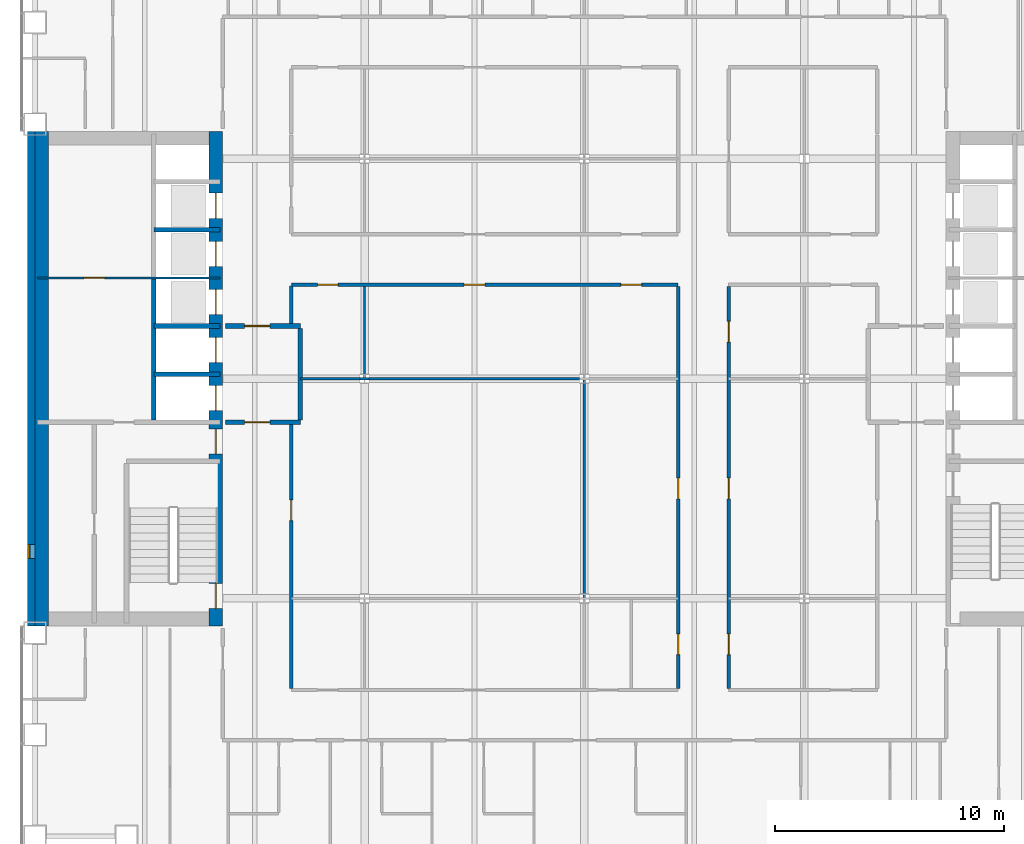
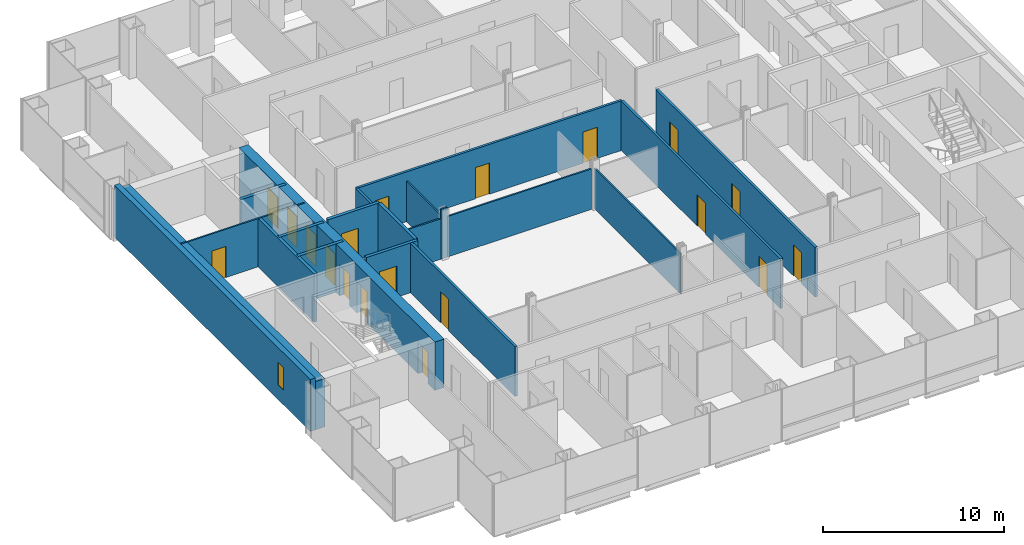
# One storey, part 17 of 23: 21 walls, 19 doors, 1 window, 20 openings.
"""IFC4 building model written with IfcOpenShell, lengths in metres."""

from ifc_helpers import new_model, si_unit, direction, frame, frame_2d, origin, place, context, subcontext, project, spatial, rectangle, extrude, material, layer, layer_set, type_object, element, fill, save


model = new_model("IFC4")

# Units and contexts
model_context = context("Model", 3, precision=1e-05, world=origin(), true_north=direction((0.0, 1.0)))
body_context = subcontext(model_context, "Body", "Model", "MODEL_VIEW")
ifc_project = project(units=[si_unit("LENGTHUNIT", "METRE"), si_unit("AREAUNIT", "SQUARE_METRE"), si_unit("VOLUMEUNIT", "CUBIC_METRE"), si_unit("PLANEANGLEUNIT", "RADIAN"), si_unit("MASSUNIT", "GRAM", prefix="KILO")], contexts=[model_context])

# Site, building, storey
site_placement = place(None, origin())
site = spatial("IfcSite", under=ifc_project, at=site_placement, CompositionType="ELEMENT")
building_placement = place(site_placement, origin())
building = spatial("IfcBuilding", under=site, at=building_placement, Name="Cobrizo Arcos Hotel Tower", CompositionType="ELEMENT")
storey_placement = place(building_placement, frame((0.0, 0.0, 49.5)))
storey = spatial("IfcBuildingStorey", under=building, at=storey_placement, Name="L10", CompositionType="ELEMENT", Elevation=49.5)

# Wall, openings, doors
ifc_material_1 = material(Name="Gypsum board partition")
ifc_layer_1 = layer(ifc_material_1, 0.14990234375)
ifc_layer_set_1 = layer_set([ifc_layer_1], Name="Corridor wall EI 60 150")
wall_type_1 = type_object("IfcWallType", Name="Corridor wall EI 60 150", PredefinedType="PARTITIONING", material=ifc_layer_set_1)
wall_1_placement = place(storey_placement, frame((-12.800048828125, 4.10009765625, 0.0), z_axis=(0.0, 0.0, 1.0), x_axis=(1.0, 0.0, 0.0)))
wall_1 = element("IfcWall", 1, at=wall_1_placement, inside=storey, type_object=wall_type_1, Name="Partition 039", PredefinedType="PARTITIONING", context=body_context, shape_type="SweptSolid", body=[
    extrude(rectangle(XDim=16.900146484375, YDim=0.14990234375, at=frame_2d((8.4501953125, 0.0))), origin(), (0.0, 0.0, 1.0), 3.35009765625),
])
opening_1_placement = place(wall_1_placement, frame((1.14990234375, 0.0, 0.0)))
opening_1 = element("IfcOpeningElement", 2, at=opening_1_placement, cuts=wall_1, Name="Opening RD-13", PredefinedType="OPENING", context=body_context, shape_type="SweptSolid", body=[
    extrude(rectangle(XDim=0.89990234375, YDim=2.10009765625, at=frame_2d((0.449951171875, 1.050048828125))), frame((0.0, 0.0869140625, 0.0), z_axis=(0.0, -1.0, 0.0), x_axis=(1.0, 0.0, 0.0)), (0.0, 0.0, 1.0), 0.173828125),
])
opening_2_placement = place(wall_1_placement, frame((14.39990234375, 0.0, 0.0)))
opening_2 = element("IfcOpeningElement", 3, at=opening_2_placement, cuts=wall_1, Name="Opening RD-22", PredefinedType="OPENING", context=body_context, shape_type="SweptSolid", body=[
    extrude(rectangle(XDim=0.89990234375, YDim=2.10009765625, at=frame_2d((0.449951171875, 1.050048828125))), frame((0.0, 0.0869140625, 0.0), z_axis=(0.0, -1.0, 0.0), x_axis=(1.0, 0.0, 0.0)), (0.0, 0.0, 1.0), 0.173828125),
])
opening_3_placement = place(wall_1_placement, frame((7.550048828125, 0.0, 0.0)))
opening_3 = element("IfcOpeningElement", 4, at=opening_3_placement, cuts=wall_1, Name="Opening RD-30", PredefinedType="OPENING", context=body_context, shape_type="SweptSolid", body=[
    extrude(rectangle(XDim=0.89990234375, YDim=2.10009765625, at=frame_2d((0.449951171875, 1.050048828125))), frame((0.0, 0.0869140625, 0.0), z_axis=(0.0, -1.0, 0.0), x_axis=(1.0, 0.0, 0.0)), (0.0, 0.0, 1.0), 0.173828125),
])
ifc_material_2 = material(Name="Timber door leaf", Category="wood")
door_type_1 = type_object("IfcDoorType", Name="Room door FD30 900x2100", OperationType="SINGLE_SWING_LEFT", PredefinedType="DOOR", material=ifc_material_2)
door_1_placement = place(opening_1_placement, origin())
door_1 = element("IfcDoor", 5, at=door_1_placement, inside=storey, type_object=door_type_1, Name="Door RD-13", OperationType="SINGLE_SWING_LEFT", OverallHeight=2.10009765625, OverallWidth=0.89990234375, PredefinedType="DOOR", context=body_context, shape_type="SweptSolid", body=[
    extrude(rectangle(XDim=0.89990234375, YDim=2.10009765625, at=frame_2d((0.449951171875, 1.050048828125))), frame((0.0, 0.02490234375, 0.0), z_axis=(0.0, -1.0, 0.0), x_axis=(1.0, 0.0, 0.0)), (0.0, 0.0, 1.0), 0.050048828125),
])
fill(opening_1, door_1)
door_2_placement = place(opening_2_placement, origin())
door_2 = element("IfcDoor", 6, at=door_2_placement, inside=storey, type_object=door_type_1, Name="Door RD-22", OperationType="SINGLE_SWING_LEFT", OverallHeight=2.10009765625, OverallWidth=0.89990234375, PredefinedType="DOOR", context=body_context, shape_type="SweptSolid", body=[
    extrude(rectangle(XDim=0.89990234375, YDim=2.10009765625, at=frame_2d((0.449951171875, 1.050048828125))), frame((0.0, 0.02490234375, 0.0), z_axis=(0.0, -1.0, 0.0), x_axis=(1.0, 0.0, 0.0)), (0.0, 0.0, 1.0), 0.050048828125),
])
fill(opening_2, door_2)
door_3_placement = place(opening_3_placement, origin())
door_3 = element("IfcDoor", 7, at=door_3_placement, inside=storey, type_object=door_type_1, Name="Door RD-30", OperationType="SINGLE_SWING_RIGHT", OverallHeight=2.10009765625, OverallWidth=0.89990234375, PredefinedType="DOOR", context=body_context, shape_type="SweptSolid", body=[
    extrude(rectangle(XDim=0.89990234375, YDim=2.10009765625, at=frame_2d((0.449951171875, 1.050048828125))), frame((0.0, 0.02490234375, 0.0), z_axis=(0.0, -1.0, 0.0), x_axis=(1.0, 0.0, 0.0)), (0.0, 0.0, 1.0), 0.050048828125),
])
fill(opening_3, door_3)

# Wall, opening, door
wall_2_placement = place(storey_placement, frame((-12.800048828125, -13.52490234375, 0.0), z_axis=(0.0, 0.0, 1.0), x_axis=(0.0, 1.0, 0.0)))
wall_2 = element("IfcWall", 8, at=wall_2_placement, inside=storey, type_object=wall_type_1, Name="Partition 078", PredefinedType="PARTITIONING", context=body_context, shape_type="SweptSolid", body=[
    extrude(rectangle(XDim=11.52490234375, YDim=0.14990234375, at=frame_2d((5.762451171875, 0.0))), origin(), (0.0, 0.0, 1.0), 3.35009765625),
])
opening_4_placement = place(wall_2_placement, frame((7.324951171875, 0.0, 0.0)))
opening_4 = element("IfcOpeningElement", 9, at=opening_4_placement, cuts=wall_2, Name="Opening RD-32", PredefinedType="OPENING", context=body_context, shape_type="SweptSolid", body=[
    extrude(rectangle(XDim=0.89990234375, YDim=2.10009765625, at=frame_2d((0.449951171875, 1.050048828125))), frame((0.0, 0.0869140625, 0.0), z_axis=(0.0, -1.0, 0.0), x_axis=(1.0, 0.0, 0.0)), (0.0, 0.0, 1.0), 0.173828125),
])
door_4_placement = place(opening_4_placement, origin())
door_4 = element("IfcDoor", 10, at=door_4_placement, inside=storey, type_object=door_type_1, Name="Door RD-32", OperationType="SINGLE_SWING_LEFT", OverallHeight=2.10009765625, OverallWidth=0.89990234375, PredefinedType="DOOR", context=body_context, shape_type="SweptSolid", body=[
    extrude(rectangle(XDim=0.89990234375, YDim=2.10009765625, at=frame_2d((0.449951171875, 1.050048828125))), frame((0.0, 0.02490234375, 0.0), z_axis=(0.0, -1.0, 0.0), x_axis=(1.0, 0.0, 0.0)), (0.0, 0.0, 1.0), 0.050048828125),
])
fill(opening_4, door_4)

# Wall
wall_3_placement = place(storey_placement, frame((-12.800048828125, 2.39990234375, 0.0), z_axis=(0.0, 0.0, 1.0), x_axis=(0.0, 1.0, 0.0)))
element("IfcWall", 11, at=wall_3_placement, inside=storey, type_object=wall_type_1, Name="Partition 079", PredefinedType="PARTITIONING", context=body_context, shape_type="SweptSolid", body=[
    extrude(rectangle(XDim=1.650146484375, YDim=0.14990234375, at=frame_2d((0.8251953125, 0.0))), origin(), (0.0, 0.0, 1.0), 3.35009765625),
])

# Wall, openings, doors
wall_4_placement = place(storey_placement, frame((4.10009765625, -13.52490234375, 0.0), z_axis=(0.0, 0.0, 1.0), x_axis=(0.0, 1.0, 0.0)))
wall_4 = element("IfcWall", 12, at=wall_4_placement, inside=storey, type_object=wall_type_1, Name="Partition 104", PredefinedType="PARTITIONING", context=body_context, shape_type="SweptSolid", body=[
    extrude(rectangle(XDim=17.5498046875, YDim=0.14990234375, at=frame_2d((8.77490234375, 0.0))), origin(), (0.0, 0.0, 1.0), 3.35009765625),
])
opening_5_placement = place(wall_4_placement, frame((1.47509765625, 0.0, 0.0)))
opening_5 = element("IfcOpeningElement", 13, at=opening_5_placement, cuts=wall_4, Name="Opening ED-17", PredefinedType="OPENING", context=body_context, shape_type="SweptSolid", body=[
    extrude(rectangle(XDim=0.89990234375, YDim=2.10009765625, at=frame_2d((0.449951171875, 1.050048828125))), frame((0.0, 0.0869140625, 0.0), z_axis=(0.0, -1.0, 0.0), x_axis=(1.0, 0.0, 0.0)), (0.0, 0.0, 1.0), 0.173828125),
])
opening_6_placement = place(wall_4_placement, frame((8.27490234375, 0.0, 0.0)))
opening_6 = element("IfcOpeningElement", 14, at=opening_6_placement, cuts=wall_4, Name="Opening RD-31", PredefinedType="OPENING", context=body_context, shape_type="SweptSolid", body=[
    extrude(rectangle(XDim=0.89990234375, YDim=2.10009765625, at=frame_2d((0.449951171875, 1.050048828125))), frame((0.0, 0.0869140625, 0.0), z_axis=(0.0, -1.0, 0.0), x_axis=(1.0, 0.0, 0.0)), (0.0, 0.0, 1.0), 0.173828125),
])
door_type_2 = type_object("IfcDoorType", Name="En-suite door 900x2100", OperationType="SINGLE_SWING_LEFT", PredefinedType="DOOR", material=ifc_material_2)
door_5_placement = place(opening_5_placement, origin())
door_5 = element("IfcDoor", 15, at=door_5_placement, inside=storey, type_object=door_type_2, Name="Door ED-17", OperationType="SINGLE_SWING_RIGHT", OverallHeight=2.10009765625, OverallWidth=0.89990234375, PredefinedType="DOOR", context=body_context, shape_type="SweptSolid", body=[
    extrude(rectangle(XDim=0.89990234375, YDim=2.10009765625, at=frame_2d((0.449951171875, 1.050048828125))), frame((0.0, 0.02490234375, 0.0), z_axis=(0.0, -1.0, 0.0), x_axis=(1.0, 0.0, 0.0)), (0.0, 0.0, 1.0), 0.050048828125),
])
fill(opening_5, door_5)
door_6_placement = place(opening_6_placement, origin())
door_6 = element("IfcDoor", 16, at=door_6_placement, inside=storey, type_object=door_type_1, Name="Door RD-31", OperationType="SINGLE_SWING_LEFT", OverallHeight=2.10009765625, OverallWidth=0.89990234375, PredefinedType="DOOR", context=body_context, shape_type="SweptSolid", body=[
    extrude(rectangle(XDim=0.89990234375, YDim=2.10009765625, at=frame_2d((0.449951171875, 1.050048828125))), frame((0.0, 0.02490234375, 0.0), z_axis=(0.0, -1.0, 0.0), x_axis=(1.0, 0.0, 0.0)), (0.0, 0.0, 1.0), 0.050048828125),
])
fill(opening_6, door_6)

wall_5_placement = place(storey_placement, frame((6.300048828125, -13.52490234375, 0.0), z_axis=(0.0, 0.0, 1.0), x_axis=(0.0, 1.0, 0.0)))
wall_5 = element("IfcWall", 17, at=wall_5_placement, inside=storey, type_object=wall_type_1, Name="Partition 108", PredefinedType="PARTITIONING", context=body_context, shape_type="SweptSolid", body=[
    extrude(rectangle(XDim=17.5498046875, YDim=0.14990234375, at=frame_2d((8.77490234375, 0.0))), origin(), (0.0, 0.0, 1.0), 3.35009765625),
])
opening_7_placement = place(wall_5_placement, frame((1.47509765625, 0.0, 0.0)))
opening_7 = element("IfcOpeningElement", 18, at=opening_7_placement, cuts=wall_5, Name="Opening RD-18", PredefinedType="OPENING", context=body_context, shape_type="SweptSolid", body=[
    extrude(rectangle(XDim=0.89990234375, YDim=2.10009765625, at=frame_2d((0.449951171875, 1.050048828125))), frame((0.0, 0.0869140625, 0.0), z_axis=(0.0, -1.0, 0.0), x_axis=(1.0, 0.0, 0.0)), (0.0, 0.0, 1.0), 0.173828125),
])
opening_8_placement = place(wall_5_placement, frame((15.125, 0.0, 0.0)))
opening_8 = element("IfcOpeningElement", 19, at=opening_8_placement, cuts=wall_5, Name="Opening RD-19", PredefinedType="OPENING", context=body_context, shape_type="SweptSolid", body=[
    extrude(rectangle(XDim=0.89990234375, YDim=2.10009765625, at=frame_2d((0.449951171875, 1.050048828125))), frame((0.0, 0.0869140625, 0.0), z_axis=(0.0, -1.0, 0.0), x_axis=(1.0, 0.0, 0.0)), (0.0, 0.0, 1.0), 0.173828125),
])
opening_9_placement = place(wall_5_placement, frame((8.27490234375, 0.0, 0.0)))
opening_9 = element("IfcOpeningElement", 20, at=opening_9_placement, cuts=wall_5, Name="Opening RD-26", PredefinedType="OPENING", context=body_context, shape_type="SweptSolid", body=[
    extrude(rectangle(XDim=0.89990234375, YDim=2.10009765625, at=frame_2d((0.449951171875, 1.050048828125))), frame((0.0, 0.0869140625, 0.0), z_axis=(0.0, -1.0, 0.0), x_axis=(1.0, 0.0, 0.0)), (0.0, 0.0, 1.0), 0.173828125),
])
door_7_placement = place(opening_7_placement, origin())
door_7 = element("IfcDoor", 21, at=door_7_placement, inside=storey, type_object=door_type_1, Name="Door RD-18", OperationType="SINGLE_SWING_LEFT", OverallHeight=2.10009765625, OverallWidth=0.89990234375, PredefinedType="DOOR", context=body_context, shape_type="SweptSolid", body=[
    extrude(rectangle(XDim=0.89990234375, YDim=2.10009765625, at=frame_2d((0.449951171875, 1.050048828125))), frame((0.0, 0.02490234375, 0.0), z_axis=(0.0, -1.0, 0.0), x_axis=(1.0, 0.0, 0.0)), (0.0, 0.0, 1.0), 0.050048828125),
])
fill(opening_7, door_7)
door_8_placement = place(opening_8_placement, origin())
door_8 = element("IfcDoor", 22, at=door_8_placement, inside=storey, type_object=door_type_1, Name="Door RD-19", OperationType="SINGLE_SWING_LEFT", OverallHeight=2.10009765625, OverallWidth=0.89990234375, PredefinedType="DOOR", context=body_context, shape_type="SweptSolid", body=[
    extrude(rectangle(XDim=0.89990234375, YDim=2.10009765625, at=frame_2d((0.449951171875, 1.050048828125))), frame((0.0, 0.02490234375, 0.0), z_axis=(0.0, -1.0, 0.0), x_axis=(1.0, 0.0, 0.0)), (0.0, 0.0, 1.0), 0.050048828125),
])
fill(opening_8, door_8)
door_9_placement = place(opening_9_placement, origin())
door_9 = element("IfcDoor", 23, at=door_9_placement, inside=storey, type_object=door_type_1, Name="Door RD-26", OperationType="SINGLE_SWING_LEFT", OverallHeight=2.10009765625, OverallWidth=0.89990234375, PredefinedType="DOOR", context=body_context, shape_type="SweptSolid", body=[
    extrude(rectangle(XDim=0.89990234375, YDim=2.10009765625, at=frame_2d((0.449951171875, 1.050048828125))), frame((0.0, 0.02490234375, 0.0), z_axis=(0.0, -1.0, 0.0), x_axis=(1.0, 0.0, 0.0)), (0.0, 0.0, 1.0), 0.050048828125),
])
fill(opening_9, door_9)

# Wall, opening, window
ifc_material_3 = material(Name="Aluminium composite panel pale metal", Category="aluminium")
ifc_layer_2 = layer(ifc_material_3, 0.324951171875)
ifc_layer_set_2 = layer_set([ifc_layer_2], Name="EW-1 insulated panel wall 325")
wall_type_2 = type_object("IfcWallType", Name="EW-1 insulated panel wall 325", PredefinedType="SOLIDWALL", material=ifc_layer_set_2)
wall_6_placement = place(storey_placement, frame((-24.16259765625, 10.800048828125, 0.0), z_axis=(0.0, 0.0, 1.0), x_axis=(0.0, -1.0, 0.0)))
wall_6 = element("IfcWall", 24, at=wall_6_placement, inside=storey, type_object=wall_type_2, Name="Core face wall L10 W", PredefinedType="SOLIDWALL", context=body_context, shape_type="SweptSolid", body=[
    extrude(rectangle(XDim=21.60009765625, YDim=0.324951171875, at=frame_2d((10.800048828125, 0.0))), origin(), (0.0, 0.0, 1.0), 3.5),
])
opening_10_placement = place(wall_6_placement, frame((18.050048828125, 0.0, 1.0)))
opening_10 = element("IfcOpeningElement", 25, at=opening_10_placement, cuts=wall_6, Name="Opening W-16", PredefinedType="OPENING", context=body_context, shape_type="SweptSolid", body=[
    extrude(rectangle(XDim=0.60009765625, YDim=1.5, at=frame_2d((0.300048828125, 0.75))), frame((0.0, 0.174560546875, 0.0), z_axis=(0.0, -1.0, 0.0), x_axis=(1.0, 0.0, 0.0)), (0.0, 0.0, 1.0), 0.348876953125),
])
ifc_material_4 = material(Name="Aluminium 6063-T6 and clear laminated glass", Category="aluminium")
window_type = type_object("IfcWindowType", Name="W-C1 core stair slot window 600x1500", PartitioningType="SINGLE_PANEL", PredefinedType="WINDOW", material=ifc_material_4)
window_placement = place(opening_10_placement, origin())
window = element("IfcWindow", 26, at=window_placement, inside=storey, type_object=window_type, Name="Core face wall L10 W window W-16", OverallHeight=1.5, OverallWidth=0.60009765625, PartitioningType="SINGLE_PANEL", PredefinedType="WINDOW", context=body_context, shape_type="SweptSolid", body=[
    extrude(rectangle(XDim=0.60009765625, YDim=1.5, at=frame_2d((0.300048828125, 0.75))), frame((0.0, -0.072509765625, 0.0), z_axis=(0.0, -1.0, 0.0), x_axis=(1.0, 0.0, 0.0)), (0.0, 0.0, 1.0), 0.06005859375),
])
fill(opening_10, window)

# Walls
ifc_layer_3 = layer(ifc_material_1, 0.10009765625)
ifc_layer_set_3 = layer_set([ifc_layer_3], Name="Partition EI 30 100")
wall_type_3 = type_object("IfcWallType", Name="Partition EI 30 100", PredefinedType="PARTITIONING", material=ifc_layer_set_3)
wall_7_placement = place(storey_placement, frame((-12.39990234375, 0.0, 0.0), z_axis=(0.0, 0.0, 1.0), x_axis=(1.0, 0.0, 0.0)))
element("IfcWall", 27, at=wall_7_placement, inside=storey, type_object=wall_type_3, Name="Partition 025", PredefinedType="PARTITIONING", context=body_context, shape_type="SweptSolid", body=[
    extrude(rectangle(XDim=2.595947265625, YDim=0.10009765625, at=frame_2d((1.2978515625, 0.0))), origin(), (0.0, 0.0, 1.0), 2.72802734375),
])
wall_8_placement = place(storey_placement, frame((-9.803955078125, 0.0, 0.0), z_axis=(0.0, 0.0, 1.0), x_axis=(1.0, 0.0, 0.0)))
element("IfcWall", 28, at=wall_8_placement, inside=storey, type_object=wall_type_3, Name="Partition 026", PredefinedType="PARTITIONING", context=body_context, shape_type="SweptSolid", body=[
    extrude(rectangle(XDim=0.407958984375, YDim=0.10009765625, at=frame_2d((0.2041015625, 0.0))), origin(), (0.0, 0.0, 1.0), 3.35009765625),
])
wall_9_placement = place(storey_placement, frame((-9.39599609375, 0.0, 0.0), z_axis=(0.0, 0.0, 1.0), x_axis=(1.0, 0.0, 0.0)))
element("IfcWall", 29, at=wall_9_placement, inside=storey, type_object=wall_type_3, Name="Partition 027", PredefinedType="PARTITIONING", context=body_context, shape_type="SweptSolid", body=[
    extrude(rectangle(XDim=9.19189453125, YDim=0.10009765625, at=frame_2d((4.595947265625, 0.0))), origin(), (0.0, 0.0, 1.0), 2.72802734375),
])

# Wall, opening, door
wall_10_placement = place(storey_placement, frame((-23.8798828125, 4.39990234375, 0.0), z_axis=(0.0, 0.0, 1.0), x_axis=(1.0, 0.0, 0.0)))
wall_10 = element("IfcWall", 30, at=wall_10_placement, inside=storey, type_object=wall_type_3, Name="Partition 041", PredefinedType="PARTITIONING", context=body_context, shape_type="SweptSolid", body=[
    extrude(rectangle(XDim=7.9599609375, YDim=0.10009765625, at=frame_2d((3.97998046875, 0.0))), origin(), (0.0, 0.0, 1.0), 3.25),
])
opening_11_placement = place(wall_10_placement, frame((2.030029296875, 0.0, 0.0)))
opening_11 = element("IfcOpeningElement", 31, at=opening_11_placement, cuts=wall_10, Name="Opening RD-03", PredefinedType="OPENING", context=body_context, shape_type="SweptSolid", body=[
    extrude(rectangle(XDim=0.89990234375, YDim=2.10009765625, at=frame_2d((0.449951171875, 1.050048828125))), frame((0.0, 0.06201171875, 0.0), z_axis=(0.0, -1.0, 0.0), x_axis=(1.0, 0.0, 0.0)), (0.0, 0.0, 1.0), 0.1240234375),
])
door_10_placement = place(opening_11_placement, origin())
door_10 = element("IfcDoor", 32, at=door_10_placement, inside=storey, type_object=door_type_1, Name="Door RD-03", OperationType="SINGLE_SWING_RIGHT", OverallHeight=2.10009765625, OverallWidth=0.89990234375, PredefinedType="DOOR", context=body_context, shape_type="SweptSolid", body=[
    extrude(rectangle(XDim=0.89990234375, YDim=2.10009765625, at=frame_2d((0.449951171875, 1.050048828125))), frame((0.0, 0.02490234375, 0.0), z_axis=(0.0, -1.0, 0.0), x_axis=(1.0, 0.0, 0.0)), (0.0, 0.0, 1.0), 0.050048828125),
])
fill(opening_11, door_10)

# Walls
wall_11_placement = place(storey_placement, frame((-9.60009765625, 0.050048828125, 0.0), z_axis=(0.0, 0.0, 1.0), x_axis=(0.0, 1.0, 0.0)))
element("IfcWall", 33, at=wall_11_placement, inside=storey, type_object=wall_type_3, Name="Partition 085", PredefinedType="PARTITIONING", context=body_context, shape_type="SweptSolid", body=[
    extrude(rectangle(XDim=3.974853515625, YDim=0.10009765625, at=frame_2d((1.9873046875, 0.0))), origin(), (0.0, 0.0, 1.0), 2.72802734375),
])
wall_12_placement = place(storey_placement, frame((0.0, -9.550048828125, 0.0), z_axis=(0.0, 0.0, 1.0), x_axis=(0.0, 1.0, 0.0)))
element("IfcWall", 34, at=wall_12_placement, inside=storey, type_object=wall_type_3, Name="Partition 097", PredefinedType="PARTITIONING", context=body_context, shape_type="SweptSolid", body=[
    extrude(rectangle(XDim=9.5, YDim=0.10009765625, at=frame_2d((4.75, 0.0))), origin(), (0.0, 0.0, 1.0), 2.72802734375),
])

# Wall, openings, doors
ifc_material_5 = material(Name="Concrete f'c 60 MPa", Category="concrete")
ifc_layer_4 = layer(ifc_material_5, 0.60009765625)
ifc_layer_set_4 = layer_set([ifc_layer_4], Name="RC core wall 600 f'c 60")
wall_type_4 = type_object("IfcWallType", Name="RC core wall 600 f'c 60", PredefinedType="SHEAR", material=ifc_layer_set_4)
wall_13_placement = place(storey_placement, frame((-16.10009765625, -10.800048828125, 0.0), z_axis=(0.0, 0.0, 1.0), x_axis=(0.0, 1.0, 0.0)))
wall_13 = element("IfcWall", 35, at=wall_13_placement, inside=storey, type_object=wall_type_4, Name="Core wall CW1, west core, inner face, L10", PredefinedType="SHEAR", context=body_context, shape_type="SweptSolid", body=[
    extrude(rectangle(XDim=21.60009765625, YDim=0.60009765625, at=frame_2d((10.800048828125, 0.0))), origin(), (0.0, 0.0, 1.0), 3.25),
])
opening_12_placement = place(wall_13_placement, frame((9.39990234375, 0.0, 0.0)))
opening_12 = element("IfcOpeningElement", 36, at=opening_12_placement, cuts=wall_13, Name="Opening LD-01", PredefinedType="OPENING", context=body_context, shape_type="SweptSolid", body=[
    extrude(rectangle(XDim=1.10009765625, YDim=2.10009765625, at=frame_2d((0.550048828125, 1.050048828125))), frame((0.0, 0.31201171875, 0.0), z_axis=(0.0, -1.0, 0.0), x_axis=(1.0, 0.0, 0.0)), (0.0, 0.0, 1.0), 0.6240234375),
])
opening_13_placement = place(wall_13_placement, frame((11.5, 0.0, 0.0)))
opening_13 = element("IfcOpeningElement", 37, at=opening_13_placement, cuts=wall_13, Name="Opening LD-02", PredefinedType="OPENING", context=body_context, shape_type="SweptSolid", body=[
    extrude(rectangle(XDim=1.10009765625, YDim=2.10009765625, at=frame_2d((0.550048828125, 1.050048828125))), frame((0.0, 0.31201171875, 0.0), z_axis=(0.0, -1.0, 0.0), x_axis=(1.0, 0.0, 0.0)), (0.0, 0.0, 1.0), 0.6240234375),
])
opening_14_placement = place(wall_13_placement, frame((13.60009765625, 0.0, 0.0)))
opening_14 = element("IfcOpeningElement", 38, at=opening_14_placement, cuts=wall_13, Name="Opening LD-03", PredefinedType="OPENING", context=body_context, shape_type="SweptSolid", body=[
    extrude(rectangle(XDim=1.10009765625, YDim=2.10009765625, at=frame_2d((0.550048828125, 1.050048828125))), frame((0.0, 0.31201171875, 0.0), z_axis=(0.0, -1.0, 0.0), x_axis=(1.0, 0.0, 0.0)), (0.0, 0.0, 1.0), 0.6240234375),
])
opening_15_placement = place(wall_13_placement, frame((15.699951171875, 0.0, 0.0)))
opening_15 = element("IfcOpeningElement", 39, at=opening_15_placement, cuts=wall_13, Name="Opening LD-04", PredefinedType="OPENING", context=body_context, shape_type="SweptSolid", body=[
    extrude(rectangle(XDim=1.10009765625, YDim=2.10009765625, at=frame_2d((0.550048828125, 1.050048828125))), frame((0.0, 0.31201171875, 0.0), z_axis=(0.0, -1.0, 0.0), x_axis=(1.0, 0.0, 0.0)), (0.0, 0.0, 1.0), 0.6240234375),
])
opening_16_placement = place(wall_13_placement, frame((17.800048828125, 0.0, 0.0)))
opening_16 = element("IfcOpeningElement", 40, at=opening_16_placement, cuts=wall_13, Name="Opening LD-05", PredefinedType="OPENING", context=body_context, shape_type="SweptSolid", body=[
    extrude(rectangle(XDim=1.10009765625, YDim=2.10009765625, at=frame_2d((0.550048828125, 1.050048828125))), frame((0.0, 0.31201171875, 0.0), z_axis=(0.0, -1.0, 0.0), x_axis=(1.0, 0.0, 0.0)), (0.0, 0.0, 1.0), 0.6240234375),
])
opening_17_placement = place(wall_13_placement, frame((0.758056640625, 0.0, 0.0)))
opening_17 = element("IfcOpeningElement", 41, at=opening_17_placement, cuts=wall_13, Name="Opening SD-01", PredefinedType="OPENING", context=body_context, shape_type="SweptSolid", body=[
    extrude(rectangle(XDim=1.10009765625, YDim=2.10009765625, at=frame_2d((0.550048828125, 1.050048828125))), frame((0.0, 0.31201171875, 0.0), z_axis=(0.0, -1.0, 0.0), x_axis=(1.0, 0.0, 0.0)), (0.0, 0.0, 1.0), 0.6240234375),
])
opening_18_placement = place(wall_13_placement, frame((7.5, 0.0, 0.0)))
opening_18 = element("IfcOpeningElement", 42, at=opening_18_placement, cuts=wall_13, Name="Opening FD-01", PredefinedType="OPENING", context=body_context, shape_type="SweptSolid", body=[
    extrude(rectangle(XDim=1.10009765625, YDim=2.10009765625, at=frame_2d((0.550048828125, 1.050048828125))), frame((0.0, 0.31201171875, 0.0), z_axis=(0.0, -1.0, 0.0), x_axis=(1.0, 0.0, 0.0)), (0.0, 0.0, 1.0), 0.6240234375),
])
ifc_material_6 = material(Name="Steel door leaf", Category="steel")
door_type_3 = type_object("IfcDoorType", Name="Fire door FD60 1100x2100", OperationType="SINGLE_SWING_LEFT", PredefinedType="DOOR", material=ifc_material_6)
door_11_placement = place(opening_18_placement, origin())
door_11 = element("IfcDoor", 43, at=door_11_placement, inside=storey, type_object=door_type_3, Name="Door FD-01", OperationType="SINGLE_SWING_LEFT", OverallHeight=2.10009765625, OverallWidth=1.10009765625, PredefinedType="DOOR", context=body_context, shape_type="SweptSolid", body=[
    extrude(rectangle(XDim=1.10009765625, YDim=2.10009765625, at=frame_2d((0.550048828125, 1.050048828125))), frame((0.0, 0.02490234375, 0.0), z_axis=(0.0, -1.0, 0.0), x_axis=(1.0, 0.0, 0.0)), (0.0, 0.0, 1.0), 0.050048828125),
])
fill(opening_18, door_11)
door_type_4 = type_object("IfcDoorType", Name="Lift landing door 1100x2100", OperationType="SLIDING_TO_LEFT", PredefinedType="DOOR", material=ifc_material_6)
door_12_placement = place(opening_12_placement, origin())
door_12 = element("IfcDoor", 44, at=door_12_placement, inside=storey, type_object=door_type_4, Name="Lift landing door LD-01", OperationType="SLIDING_TO_LEFT", OverallHeight=2.10009765625, OverallWidth=1.10009765625, PredefinedType="DOOR", context=body_context, shape_type="SweptSolid", body=[
    extrude(rectangle(XDim=1.10009765625, YDim=2.10009765625, at=frame_2d((0.550048828125, 1.050048828125))), frame((0.0, 0.02490234375, 0.0), z_axis=(0.0, -1.0, 0.0), x_axis=(1.0, 0.0, 0.0)), (0.0, 0.0, 1.0), 0.050048828125),
])
fill(opening_12, door_12)
door_13_placement = place(opening_13_placement, origin())
door_13 = element("IfcDoor", 45, at=door_13_placement, inside=storey, type_object=door_type_4, Name="Lift landing door LD-02", OperationType="SLIDING_TO_LEFT", OverallHeight=2.10009765625, OverallWidth=1.10009765625, PredefinedType="DOOR", context=body_context, shape_type="SweptSolid", body=[
    extrude(rectangle(XDim=1.10009765625, YDim=2.10009765625, at=frame_2d((0.550048828125, 1.050048828125))), frame((0.0, 0.02490234375, 0.0), z_axis=(0.0, -1.0, 0.0), x_axis=(1.0, 0.0, 0.0)), (0.0, 0.0, 1.0), 0.050048828125),
])
fill(opening_13, door_13)
door_14_placement = place(opening_14_placement, origin())
door_14 = element("IfcDoor", 46, at=door_14_placement, inside=storey, type_object=door_type_4, Name="Lift landing door LD-03", OperationType="SLIDING_TO_LEFT", OverallHeight=2.10009765625, OverallWidth=1.10009765625, PredefinedType="DOOR", context=body_context, shape_type="SweptSolid", body=[
    extrude(rectangle(XDim=1.10009765625, YDim=2.10009765625, at=frame_2d((0.550048828125, 1.050048828125))), frame((0.0, 0.02490234375, 0.0), z_axis=(0.0, -1.0, 0.0), x_axis=(1.0, 0.0, 0.0)), (0.0, 0.0, 1.0), 0.050048828125),
])
fill(opening_14, door_14)
door_15_placement = place(opening_15_placement, origin())
door_15 = element("IfcDoor", 47, at=door_15_placement, inside=storey, type_object=door_type_4, Name="Lift landing door LD-04", OperationType="SLIDING_TO_LEFT", OverallHeight=2.10009765625, OverallWidth=1.10009765625, PredefinedType="DOOR", context=body_context, shape_type="SweptSolid", body=[
    extrude(rectangle(XDim=1.10009765625, YDim=2.10009765625, at=frame_2d((0.550048828125, 1.050048828125))), frame((0.0, 0.02490234375, 0.0), z_axis=(0.0, -1.0, 0.0), x_axis=(1.0, 0.0, 0.0)), (0.0, 0.0, 1.0), 0.050048828125),
])
fill(opening_15, door_15)
door_16_placement = place(opening_16_placement, origin())
door_16 = element("IfcDoor", 48, at=door_16_placement, inside=storey, type_object=door_type_4, Name="Lift landing door LD-05", OperationType="SLIDING_TO_LEFT", OverallHeight=2.10009765625, OverallWidth=1.10009765625, PredefinedType="DOOR", context=body_context, shape_type="SweptSolid", body=[
    extrude(rectangle(XDim=1.10009765625, YDim=2.10009765625, at=frame_2d((0.550048828125, 1.050048828125))), frame((0.0, 0.02490234375, 0.0), z_axis=(0.0, -1.0, 0.0), x_axis=(1.0, 0.0, 0.0)), (0.0, 0.0, 1.0), 0.050048828125),
])
fill(opening_16, door_16)
door_type_5 = type_object("IfcDoorType", Name="Stair door FD60S 1100x2100", OperationType="SINGLE_SWING_LEFT", PredefinedType="DOOR", material=ifc_material_6)
door_17_placement = place(opening_17_placement, origin())
door_17 = element("IfcDoor", 49, at=door_17_placement, inside=storey, type_object=door_type_5, Name="Door SD-01", OperationType="SINGLE_SWING_LEFT", OverallHeight=2.10009765625, OverallWidth=1.10009765625, PredefinedType="DOOR", context=body_context, shape_type="SweptSolid", body=[
    extrude(rectangle(XDim=1.10009765625, YDim=2.10009765625, at=frame_2d((0.550048828125, 1.050048828125))), frame((0.0, 0.02490234375, 0.0), z_axis=(0.0, -1.0, 0.0), x_axis=(1.0, 0.0, 0.0)), (0.0, 0.0, 1.0), 0.050048828125),
])
fill(opening_17, door_17)

# Wall
wall_14_placement = place(storey_placement, frame((-23.699951171875, -10.800048828125, 0.0), z_axis=(0.0, 0.0, 1.0), x_axis=(0.0, 1.0, 0.0)))
element("IfcWall", 50, at=wall_14_placement, inside=storey, type_object=wall_type_4, Name="Core wall CW1, west core, outer face, L10", PredefinedType="SHEAR", context=body_context, shape_type="SweptSolid", body=[
    extrude(rectangle(XDim=21.60009765625, YDim=0.60009765625, at=frame_2d((10.800048828125, 0.0))), origin(), (0.0, 0.0, 1.0), 3.25),
])

# Wall, opening, door
ifc_layer_5 = layer(ifc_material_1, 0.199951171875)
ifc_layer_set_5 = layer_set([ifc_layer_5], Name="Shaft wall EI 120 200")
wall_type_5 = type_object("IfcWallType", Name="Shaft wall EI 120 200", PredefinedType="PARTITIONING", material=ifc_layer_set_5)
wall_15_placement = place(storey_placement, frame((-15.679931640625, -1.89990234375, 0.0), z_axis=(0.0, 0.0, 1.0), x_axis=(1.0, 0.0, 0.0)))
wall_15 = element("IfcWall", 51, at=wall_15_placement, inside=storey, type_object=wall_type_5, Name="Partition 022", PredefinedType="PARTITIONING", context=body_context, shape_type="SweptSolid", body=[
    extrude(rectangle(XDim=3.280029296875, YDim=0.199951171875, at=frame_2d((1.64013671875, 0.0))), origin(), (0.0, 0.0, 1.0), 3.35009765625),
])
opening_19_placement = place(wall_15_placement, frame((0.840087890625, 0.0, 0.0)))
opening_19 = element("IfcOpeningElement", 52, at=opening_19_placement, cuts=wall_15, Name="Opening FD-03", PredefinedType="OPENING", context=body_context, shape_type="SweptSolid", body=[
    extrude(rectangle(XDim=1.10009765625, YDim=2.10009765625, at=frame_2d((0.550048828125, 1.050048828125))), frame((0.0, 0.112060546875, 0.0), z_axis=(0.0, -1.0, 0.0), x_axis=(1.0, 0.0, 0.0)), (0.0, 0.0, 1.0), 0.223876953125),
])
door_18_placement = place(opening_19_placement, origin())
door_18 = element("IfcDoor", 53, at=door_18_placement, inside=storey, type_object=door_type_3, Name="Door FD-03", OperationType="SINGLE_SWING_RIGHT", OverallHeight=2.10009765625, OverallWidth=1.10009765625, PredefinedType="DOOR", context=body_context, shape_type="SweptSolid", body=[
    extrude(rectangle(XDim=1.10009765625, YDim=2.10009765625, at=frame_2d((0.550048828125, 1.050048828125))), frame((0.0, 0.02490234375, 0.0), z_axis=(0.0, -1.0, 0.0), x_axis=(1.0, 0.0, 0.0)), (0.0, 0.0, 1.0), 0.050048828125),
])
fill(opening_19, door_18)

# Walls
for number, where, z_axis, x_axis, name in (
    (54, (-18.800048828125, 0.199951171875, 0.0), (0.0, 0.0, 1.0), (1.0, 0.0, 0.0), "Partition 033"),
    (55, (-18.800048828125, 2.300048828125, 0.0), (0.0, 0.0, 1.0), (1.0, 0.0, 0.0), "Partition 035"),
):
    element("IfcWall", number, at=place(storey_placement, frame(where, z_axis=z_axis, x_axis=x_axis)), inside=storey, type_object=wall_type_5, Name=name, PredefinedType="PARTITIONING", context=body_context, shape_type="SweptSolid", body=[
        extrude(rectangle(XDim=2.880126953125, YDim=0.199951171875, at=frame_2d((1.43994140625, 0.0))), origin(), (0.0, 0.0, 1.0), 3.25),
    ])

# Wall, opening, door
wall_16_placement = place(storey_placement, frame((-15.679931640625, 2.300048828125, 0.0), z_axis=(0.0, 0.0, 1.0), x_axis=(1.0, 0.0, 0.0)))
wall_16 = element("IfcWall", 56, at=wall_16_placement, inside=storey, type_object=wall_type_5, Name="Partition 036", PredefinedType="PARTITIONING", context=body_context, shape_type="SweptSolid", body=[
    extrude(rectangle(XDim=3.280029296875, YDim=0.199951171875, at=frame_2d((1.64013671875, 0.0))), origin(), (0.0, 0.0, 1.0), 3.35009765625),
])
opening_20_placement = place(wall_16_placement, frame((0.840087890625, 0.0, 0.0)))
opening_20 = element("IfcOpeningElement", 57, at=opening_20_placement, cuts=wall_16, Name="Opening FD-02", PredefinedType="OPENING", context=body_context, shape_type="SweptSolid", body=[
    extrude(rectangle(XDim=1.10009765625, YDim=2.10009765625, at=frame_2d((0.550048828125, 1.050048828125))), frame((0.0, 0.112060546875, 0.0), z_axis=(0.0, -1.0, 0.0), x_axis=(1.0, 0.0, 0.0)), (0.0, 0.0, 1.0), 0.223876953125),
])
door_19_placement = place(opening_20_placement, origin())
door_19 = element("IfcDoor", 58, at=door_19_placement, inside=storey, type_object=door_type_3, Name="Door FD-02", OperationType="SINGLE_SWING_LEFT", OverallHeight=2.10009765625, OverallWidth=1.10009765625, PredefinedType="DOOR", context=body_context, shape_type="SweptSolid", body=[
    extrude(rectangle(XDim=1.10009765625, YDim=2.10009765625, at=frame_2d((0.550048828125, 1.050048828125))), frame((0.0, 0.02490234375, 0.0), z_axis=(0.0, -1.0, 0.0), x_axis=(1.0, 0.0, 0.0)), (0.0, 0.0, 1.0), 0.050048828125),
])
fill(opening_20, door_19)

# Walls
wall_17_placement = place(storey_placement, frame((-18.800048828125, 6.5, 0.0), z_axis=(0.0, 0.0, 1.0), x_axis=(1.0, 0.0, 0.0)))
element("IfcWall", 59, at=wall_17_placement, inside=storey, type_object=wall_type_5, Name="Partition 045", PredefinedType="PARTITIONING", context=body_context, shape_type="SweptSolid", body=[
    extrude(rectangle(XDim=2.880126953125, YDim=0.199951171875, at=frame_2d((1.43994140625, 0.0))), origin(), (0.0, 0.0, 1.0), 3.25),
])
wall_18_placement = place(storey_placement, frame((-18.800048828125, -1.800048828125, 0.0), z_axis=(0.0, 0.0, 1.0), x_axis=(0.0, 1.0, 0.0)))
element("IfcWall", 60, at=wall_18_placement, inside=storey, type_object=wall_type_5, Name="Partition 069", PredefinedType="PARTITIONING", context=body_context, shape_type="SweptSolid", body=[
    extrude(rectangle(XDim=6.150146484375, YDim=0.199951171875, at=frame_2d((3.0751953125, 0.0))), origin(), (0.0, 0.0, 1.0), 3.25),
])
wall_19_placement = place(storey_placement, frame((-12.39990234375, -1.800048828125, 0.0), z_axis=(0.0, 0.0, 1.0), x_axis=(0.0, 1.0, 0.0)))
element("IfcWall", 61, at=wall_19_placement, inside=storey, type_object=wall_type_5, Name="Partition 082", PredefinedType="PARTITIONING", context=body_context, shape_type="SweptSolid", body=[
    extrude(rectangle(XDim=4.0, YDim=0.199951171875, at=frame_2d((2.0, 0.0))), origin(), (0.0, 0.0, 1.0), 3.35009765625),
])

save(model, "model.ifc")
